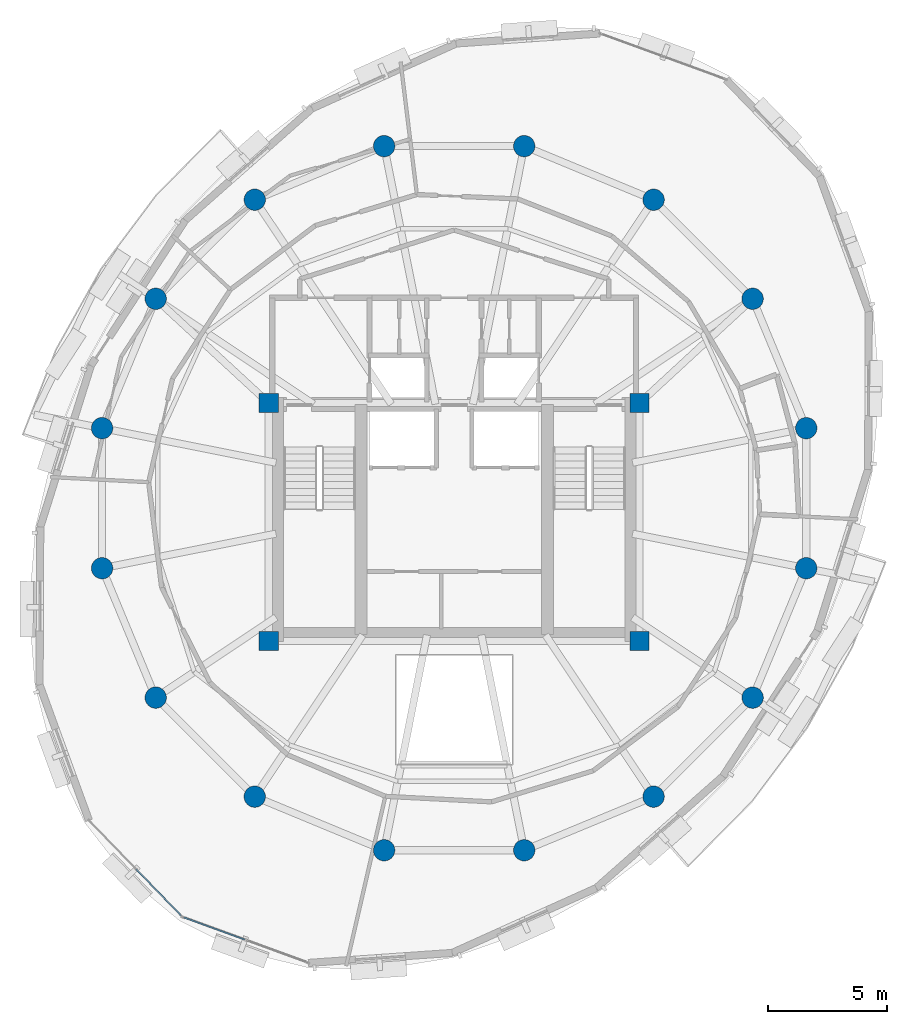
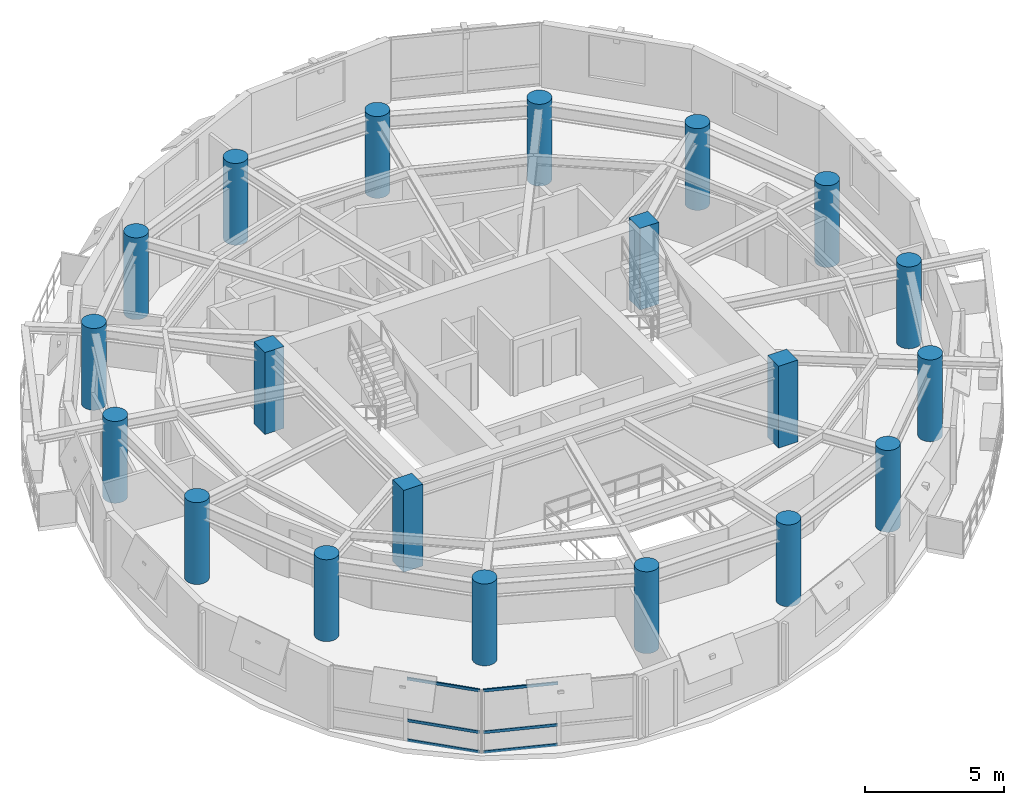
# One storey, part 1 of 11: 20 columns, 6 members, 2 elements without a shape of their own.
"""IFC4 building model written with IfcOpenShell, lengths in metres."""

import ifcopenshell
import ifcopenshell.guid

model = None  # the IFC model being written
_history = None  # IfcOwnerHistory: only IFC2X3 demands one
_inside = {}  # id of a spatial element -> (the spatial element, [elements in it])
_under = {}  # id of a project, library or spatial element -> (it, [spatial elements below it])
_declared = {}  # id of a project -> (the project, [libraries it declares])
_typed = {}  # id of a type object -> (the type object, [elements of that type])
_made_of = {}  # id of a material, layer set ... -> (it, [elements and type objects made of it])


def new_model(schema):
    """Start an empty IFC model of exactly this schema.

    Asked for "IFC4X3", IfcOpenShell would pick the latest addendum, in which some entities
    have other attributes; the version numbers below select the first issue.
    IFC2X3 requires an IfcOwnerHistory on every rooted entity: one is made here for all.
    """
    global model, _history
    if schema == "IFC4X3":
        model = ifcopenshell.file(schema_version=(4, 3, 0, 0))
    else:
        model = ifcopenshell.file(schema=schema)
    _inside.clear()
    _under.clear()
    _declared.clear()
    _typed.clear()
    _made_of.clear()
    _history = None
    if model.schema == "IFC2X3":
        org = make("IfcOrganization", Name="unknown")
        user = make(
            "IfcPersonAndOrganization",
            ThePerson=make("IfcPerson", FamilyName="unknown"),
            TheOrganization=org,
        )
        app = make(
            "IfcApplication",
            ApplicationDeveloper=org,
            Version="unknown",
            ApplicationFullName="unknown",
            ApplicationIdentifier="unknown",
        )
        _history = make(
            "IfcOwnerHistory",
            OwningUser=user,
            OwningApplication=app,
            ChangeAction="ADDED",
            CreationDate=0,
        )
    return model


def make(cls, **values):
    """One entity of the class cls with the attributes given. An attribute that is None is left unset."""
    return model.create_entity(
        cls, **{name: value for name, value in values.items() if value is not None}
    )


def rooted(cls, **values):
    """An entity with a GlobalId (a new one), such as an element, a storey or a relation."""
    return make(cls, GlobalId=ifcopenshell.guid.new(), OwnerHistory=_history, **values)


def si_unit(unit_type, name, prefix=None):
    """IfcSIUnit, for example si_unit("LENGTHUNIT", "METRE", prefix="MILLI")."""
    return make("IfcSIUnit", UnitType=unit_type, Prefix=prefix, Name=name)


def assignment(units):
    """IfcUnitAssignment: the units of a project."""
    return None if units is None else make("IfcUnitAssignment", Units=units)


def point(xyz):
    """IfcCartesianPoint."""
    return None if xyz is None else make("IfcCartesianPoint", Coordinates=xyz)


def direction(xyz):
    """IfcDirection."""
    return None if xyz is None else make("IfcDirection", DirectionRatios=xyz)


def frame(location, z_axis=None, x_axis=None):
    """IfcAxis2Placement3D, a coordinate frame: its origin and axes. An axis left out is left unset."""
    return make(
        "IfcAxis2Placement3D",
        Location=point(location),
        Axis=direction(z_axis),
        RefDirection=direction(x_axis),
    )


def frame_2d(location, x_axis=None):
    """IfcAxis2Placement2D, a coordinate frame in the plane: its origin and x axis."""
    return make(
        "IfcAxis2Placement2D", Location=point(location), RefDirection=direction(x_axis)
    )


def origin():
    """The frame at (0, 0, 0) with its axes left unset."""
    return frame((0.0, 0.0, 0.0))


def origin_2d():
    """The frame at (0, 0) in the plane with its x axis left unset."""
    return frame_2d((0.0, 0.0))


def place(relative_to, where):
    """IfcLocalPlacement: puts the frame where relative to a parent placement (None: the world)."""
    return make(
        "IfcLocalPlacement", PlacementRelTo=relative_to, RelativePlacement=where
    )


def context(
    kind, dimensions, precision=None, world=None, true_north=None, identifier=None
):
    """IfcGeometricRepresentationContext, for example the 3D "Model" context."""
    return make(
        "IfcGeometricRepresentationContext",
        ContextIdentifier=identifier,
        ContextType=kind,
        CoordinateSpaceDimension=dimensions,
        Precision=precision,
        WorldCoordinateSystem=world,
        TrueNorth=true_north,
    )


def subcontext(parent, identifier, kind, view, scale=None):
    """IfcGeometricRepresentationSubContext, for example "Body" below "Model"."""
    return make(
        "IfcGeometricRepresentationSubContext",
        ContextIdentifier=identifier,
        ContextType=kind,
        ParentContext=parent,
        TargetScale=scale,
        TargetView=view,
    )


def project(units=None, contexts=None):
    """IfcProject with its units and contexts."""
    return rooted(
        "IfcProject",
        Name="project",
        RepresentationContexts=contexts,
        UnitsInContext=assignment(units),
    )


def spatial(cls, under=None, at=None, **own):
    """A site, building, storey or space (cls), placed at a placement, below another one or the project."""
    s = rooted(cls, ObjectPlacement=at, **own)
    if under is not None:
        _under.setdefault(under.id(), (under, []))[1].append(s)
    return s


def profile(cls, at=None, kind="AREA", **sizes):
    """A parametric profile (cls). Its sizes go by their IFC names, for example OverallWidth=200.0."""
    return make(cls, ProfileType=kind, Position=at, **sizes)


def rectangle(**sizes):
    """IfcRectangleProfileDef."""
    return profile("IfcRectangleProfileDef", **sizes)


def hollow_rectangle(**sizes):
    """IfcRectangleHollowProfileDef."""
    return profile("IfcRectangleHollowProfileDef", **sizes)


def circle(**sizes):
    """IfcCircleProfileDef."""
    return profile("IfcCircleProfileDef", **sizes)


def extrude(swept, where, along, depth):
    """IfcExtrudedAreaSolid: the profile swept, set in the frame where, extruded along a direction by depth."""
    return make(
        "IfcExtrudedAreaSolid",
        SweptArea=swept,
        Position=where,
        ExtrudedDirection=direction(along),
        Depth=depth,
    )


def shape(context_of_items, identifier, shape_type, items):
    """IfcShapeRepresentation: the items that make up one representation, for example the "Body"."""
    return make(
        "IfcShapeRepresentation",
        ContextOfItems=context_of_items,
        RepresentationIdentifier=identifier,
        RepresentationType=shape_type,
        Items=items,
    )


def material(Name=None, Category=None):
    """IfcMaterial."""
    return make("IfcMaterial", Name=Name, Category=Category)


def layer(
    of_material, thickness, ventilated=None, Name=None, Category=None, Priority=None
):
    """IfcMaterialLayer: one layer of a wall or slab, of a material (None: an air gap)."""
    return make(
        "IfcMaterialLayer",
        Material=of_material,
        LayerThickness=thickness,
        IsVentilated=ventilated,
        Name=Name,
        Category=Category,
        Priority=Priority,
    )


def layer_set(layers, Name=None):
    """IfcMaterialLayerSet."""
    return make("IfcMaterialLayerSet", MaterialLayers=layers, LayerSetName=Name)


def material_profile(
    of_material, cross_section, Name=None, Category=None, Priority=None
):
    """IfcMaterialProfile: a cross section and its material."""
    return make(
        "IfcMaterialProfile",
        Name=Name,
        Material=of_material,
        Profile=cross_section,
        Priority=Priority,
        Category=Category,
    )


def profile_set(profiles, Name=None, composite=None):
    """IfcMaterialProfileSet."""
    return make(
        "IfcMaterialProfileSet",
        Name=Name,
        MaterialProfiles=profiles,
        CompositeProfile=composite,
    )


def made_of(thing, what):
    """Note that an element or type object is made of a material, layer set ...; save() writes the relation."""
    if what is not None:
        _made_of.setdefault(what.id(), (what, []))[1].append(thing)
    return thing


def type_object(cls, material=None, **own):
    """A type object (cls), such as IfcWallType, which elements share."""
    return made_of(rooted(cls, **own), material)


def element(
    cls,
    number,
    at=None,
    inside=None,
    cuts=None,
    type_object=None,
    material=None,
    context=None,
    identifier="Body",
    shape_type=None,
    held_by="IfcProductDefinitionShape",
    body=None,
    shapes=None,
    **own,
):
    """One element of the class cls, such as IfcWall. Its Tag is "e" and its number.

    at: its placement. inside: the storey or other place that contains it. cuts: it is an
    opening in that element (IfcRelVoidsElement). A single representation is given by context,
    identifier, shape_type and body (its items); several are given by shapes. held_by: the class
    of the entity that holds the representations. save() writes the other relations.
    """
    e = rooted(cls, Tag="e%d" % number, ObjectPlacement=at, **own)
    if body is not None:
        shapes = [shape(context, identifier, shape_type, body)]
    if shapes is not None:
        e.Representation = make(held_by, Representations=shapes)
    if inside is not None:
        _inside.setdefault(inside.id(), (inside, []))[1].append(e)
    if cuts is not None:
        rooted(
            "IfcRelVoidsElement", RelatingBuildingElement=cuts, RelatedOpeningElement=e
        )
    if type_object is not None:
        _typed.setdefault(type_object.id(), (type_object, []))[1].append(e)
    return made_of(e, material)


def aggregate(whole, parts):
    """IfcRelAggregates: a whole, such as a stair, and the parts it consists of."""
    return rooted("IfcRelAggregates", RelatingObject=whole, RelatedObjects=parts)


def save(model, path):
    """Write the relations noted so far, then the file.

    IfcRelAggregates (storeys below a building ...), IfcRelContainedInSpatialStructure (elements
    in a storey), IfcRelDefinesByType, IfcRelAssociatesMaterial and IfcRelDeclares: one each for
    every whole, place, type object, material and project.
    """
    for whole, parts in _under.values():
        aggregate(whole, parts)
    for where, things in _inside.values():
        rooted(
            "IfcRelContainedInSpatialStructure",
            RelatedElements=things,
            RelatingStructure=where,
        )
    for kind, things in _typed.values():
        rooted("IfcRelDefinesByType", RelatedObjects=things, RelatingType=kind)
    for what, things in _made_of.values():
        rooted("IfcRelAssociatesMaterial", RelatedObjects=things, RelatingMaterial=what)
    for by, libraries in _declared.values():
        rooted("IfcRelDeclares", RelatingContext=by, RelatedDefinitions=libraries)
    model.write(path)


model = new_model("IFC4")

# Units and contexts
model_context = context("Model", 3, precision=1e-05, world=origin(), true_north=direction((0.0, 1.0)))
body_context = subcontext(model_context, "Body", "Model", "MODEL_VIEW")
ifc_project = project(units=[si_unit("LENGTHUNIT", "METRE"), si_unit("AREAUNIT", "SQUARE_METRE"), si_unit("VOLUMEUNIT", "CUBIC_METRE"), si_unit("PLANEANGLEUNIT", "RADIAN"), si_unit("MASSUNIT", "GRAM", prefix="KILO"), si_unit("THERMODYNAMICTEMPERATUREUNIT", "KELVIN"), si_unit("POWERUNIT", "WATT")], contexts=[model_context])

# Site, building, storey
site_placement = place(None, origin())
site = spatial("IfcSite", under=ifc_project, at=site_placement, CompositionType="ELEMENT")
building_placement = place(site_placement, origin())
building = spatial("IfcBuilding", under=site, at=building_placement, Name="Ocrelia Relay Tower", CompositionType="ELEMENT")
storey_placement = place(building_placement, frame((0.0, 0.0, 266.39990234375)))
storey = spatial("IfcBuildingStorey", under=building, at=storey_placement, Name="L66", CompositionType="ELEMENT", Elevation=266.39990234375)

# Columns
ifc_material_1 = material(Name="Concrete C50/60", Category="concrete")
ifc_material_profile_1 = material_profile(ifc_material_1, circle(Radius=0.449951171875, at=origin_2d()), Name="RC-CIR-900")
ifc_profile_set_1 = profile_set([ifc_material_profile_1], Name="Concrete C50/60")
column_type_1 = type_object("IfcColumnType", Name="COL-CT-900", PredefinedType="COLUMN", material=ifc_profile_set_1)
for number, where, z_axis, x_axis, name in (
    (1, (48.809814453125, 28.94580078125, 0.0), (0.0, 0.0, 1.0), (1.0, 0.0, 0.0), "L66 Perimeter Ring Column C01"),
    (2, (46.55517578125, 34.38916015625, 0.0), (0.0, 0.0, 1.0), (1.0, 0.0, 0.0), "L66 Perimeter Ring Column C02"),
    (3, (42.38916015625, 38.55517578125, 0.0), (0.0, 0.0, 1.0), (1.0, 0.0, 0.0), "L66 Perimeter Ring Column C03"),
    (4, (36.94580078125, 40.809814453125, 0.0), (0.0, 0.0, 1.0), (1.0, 0.0, 0.0), "L66 Perimeter Ring Column C04"),
    (5, (31.05419921875, 40.809814453125, 0.0), (0.0, 0.0, 1.0), (1.0, 0.0, 0.0), "L66 Perimeter Ring Column C05"),
    (6, (25.61083984375, 38.55517578125, 0.0), (0.0, 0.0, 1.0), (1.0, 0.0, 0.0), "L66 Perimeter Ring Column C06"),
    (7, (21.44482421875, 34.38916015625, 0.0), (0.0, 0.0, 1.0), (1.0, 0.0, 0.0), "L66 Perimeter Ring Column C07"),
    (8, (19.190185546875, 28.94580078125, 0.0), (0.0, 0.0, 1.0), (1.0, 0.0, 0.0), "L66 Perimeter Ring Column C08"),
    (9, (19.190185546875, 23.05419921875, 0.0), (0.0, 0.0, 1.0), (1.0, 0.0, 0.0), "L66 Perimeter Ring Column C09"),
    (10, (21.44482421875, 17.61083984375, 0.0), (0.0, 0.0, 1.0), (1.0, 0.0, 0.0), "L66 Perimeter Ring Column C10"),
    (11, (25.61083984375, 13.44482421875, 0.0), (0.0, 0.0, 1.0), (1.0, 0.0, 0.0), "L66 Perimeter Ring Column C11"),
    (12, (31.05419921875, 11.190185546875, 0.0), (0.0, 0.0, 1.0), (1.0, 0.0, 0.0), "L66 Perimeter Ring Column C12"),
    (13, (36.94580078125, 11.190185546875, 0.0), (0.0, 0.0, 1.0), (1.0, 0.0, 0.0), "L66 Perimeter Ring Column C13"),
    (14, (42.38916015625, 13.44482421875, 0.0), (0.0, 0.0, 1.0), (1.0, 0.0, 0.0), "L66 Perimeter Ring Column C14"),
    (15, (46.55517578125, 17.61083984375, 0.0), (0.0, 0.0, 1.0), (1.0, 0.0, 0.0), "L66 Perimeter Ring Column C15"),
    (16, (48.809814453125, 23.05419921875, 0.0), (0.0, 0.0, 1.0), (1.0, 0.0, 0.0), "L66 Perimeter Ring Column C16"),
):
    element("IfcColumn", number, at=place(storey_placement, frame(where, z_axis=z_axis, x_axis=x_axis)), inside=storey, type_object=column_type_1, Name=name, PredefinedType="COLUMN", context=body_context, shape_type="SweptSolid", body=[
        extrude(circle(Radius=0.449951171875, at=origin_2d()), origin(), (0.0, 0.0, 1.0), 3.60009765625),
    ])
ifc_material_2 = material(Name="Concrete C60/75", Category="concrete")
ifc_material_profile_2 = material_profile(ifc_material_2, rectangle(XDim=0.800048828125, YDim=0.800048828125, at=origin_2d()), Name="RC-COL-800x800")
ifc_profile_set_2 = profile_set([ifc_material_profile_2], Name="Concrete C60/75")
column_type_2 = type_object("IfcColumnType", Name="COL-PILASTER-800", PredefinedType="PILASTER", material=ifc_profile_set_2)
for number, where, z_axis, x_axis, name in (
    (17, (26.199951171875, 20.0, 0.0), (0.0, 0.0, 1.0), (1.0, 0.0, 0.0), "L66 Core Corner Pilaster SW"),
    (18, (41.800048828125, 20.0, 0.0), (0.0, 0.0, 1.0), (1.0, 0.0, 0.0), "L66 Core Corner Pilaster SE"),
    (19, (26.199951171875, 30.0, 0.0), (0.0, 0.0, 1.0), (1.0, 0.0, 0.0), "L66 Core Corner Pilaster NW"),
    (20, (41.800048828125, 30.0, 0.0), (0.0, 0.0, 1.0), (1.0, 0.0, 0.0), "L66 Core Corner Pilaster NE"),
):
    element("IfcColumn", number, at=place(storey_placement, frame(where, z_axis=z_axis, x_axis=x_axis)), inside=storey, type_object=column_type_2, Name=name, PredefinedType="PILASTER", context=body_context, shape_type="SweptSolid", body=[
        extrude(rectangle(XDim=0.800048828125, YDim=0.800048828125, at=origin_2d()), origin(), (0.0, 0.0, 1.0), 3.60009765625),
    ])

# Curtain wall, members
ifc_material_3 = material(Name="Aluminium and solar-control low-E glass", Category="aluminium")
ifc_layer = layer(ifc_material_3, 0.179931640625, Name="Aluminium and solar-control low-E glass")
ifc_layer_set = layer_set([ifc_layer], Name="Aluminium and solar-control low-E glass")
curtain_wall_type = type_object("IfcCurtainWallType", Name="CW-SYS-Z4-EXEC", PredefinedType="NOTDEFINED", material=ifc_layer_set)
curtain_wall_1_placement = place(storey_placement, origin())
curtain_wall_1 = element("IfcCurtainWall", 21, at=curtain_wall_1_placement, inside=storey, type_object=curtain_wall_type, Name="L66 Elliptical Tower Curtain Wall Bay 09", PredefinedType="NOTDEFINED")
ifc_material_4 = material(Name="Anodised bronze aluminium", Category="aluminium")
ifc_material_profile_3 = material_profile(ifc_material_4, hollow_rectangle(XDim=0.06005859375, YDim=0.1201171875, WallThickness=0.0048828125, at=origin_2d()), Name="CW-TRN-120x60")
ifc_profile_set_3 = profile_set([ifc_material_profile_3], Name="Anodised bronze aluminium")
member_type = type_object("IfcMemberType", Name="CW-SYS-Z4-EXEC-TRN", PredefinedType="USERDEFINED", material=ifc_profile_set_3)
member_1_placement = place(storey_placement, frame((20.62109375, 10.39501953125, 0.030029296875), z_axis=(0.695238004318, -0.718779602765, 0.0), x_axis=(0.718779602765, 0.695238004318, 0.0)))
member_1 = element("IfcMember", 22, at=member_1_placement, type_object=member_type, Name="CW-Z4 transom 2.1", ObjectType="TRANSOM", PredefinedType="USERDEFINED", context=body_context, shape_type="SweptSolid", body=[
    extrude(hollow_rectangle(XDim=0.06005859375, YDim=0.1201171875, WallThickness=0.0048828125, at=origin_2d()), origin(), (0.0, 0.0, 1.0), 2.7275390625),
])
member_2_placement = place(storey_placement, frame((20.62109375, 10.39501953125, 0.900146484375), z_axis=(0.695238004318, -0.718779602765, 0.0), x_axis=(0.718779602765, 0.695238004318, 0.0)))
member_2 = element("IfcMember", 23, at=member_2_placement, type_object=member_type, Name="CW-Z4 transom 2.2", ObjectType="TRANSOM", PredefinedType="USERDEFINED", context=body_context, shape_type="SweptSolid", body=[
    extrude(hollow_rectangle(XDim=0.06005859375, YDim=0.1201171875, WallThickness=0.0048828125, at=origin_2d()), origin(), (0.0, 0.0, 1.0), 2.7275390625),
])
member_3_placement = place(storey_placement, frame((20.62109375, 10.39501953125, 2.72998046875), z_axis=(0.695238004318, -0.718779602765, 0.0), x_axis=(0.718779602765, 0.695238004318, 0.0)))
member_3 = element("IfcMember", 24, at=member_3_placement, type_object=member_type, Name="CW-Z4 transom 2.3", ObjectType="TRANSOM", PredefinedType="USERDEFINED", context=body_context, shape_type="SweptSolid", body=[
    extrude(hollow_rectangle(XDim=0.06005859375, YDim=0.1201171875, WallThickness=0.0048828125, at=origin_2d()), origin(), (0.0, 0.0, 1.0), 2.7275390625),
])
aggregate(curtain_wall_1, [member_1, member_2, member_3])

curtain_wall_2_placement = place(storey_placement, origin())
curtain_wall_2 = element("IfcCurtainWall", 25, at=curtain_wall_2_placement, inside=storey, type_object=curtain_wall_type, Name="L66 Elliptical Tower Curtain Wall Bay 10", PredefinedType="NOTDEFINED")
member_4_placement = place(storey_placement, frame((22.623779296875, 8.36572265625, 0.030029296875), z_axis=(0.939400793365, -0.342820870756, 0.0), x_axis=(0.342820870756, 0.939400793365, 0.0)))
member_4 = element("IfcMember", 26, at=member_4_placement, type_object=member_type, Name="CW-Z4 transom 1.1", ObjectType="TRANSOM", PredefinedType="USERDEFINED", context=body_context, shape_type="SweptSolid", body=[
    extrude(hollow_rectangle(XDim=0.06005859375, YDim=0.1201171875, WallThickness=0.0048828125, at=origin_2d()), origin(), (0.0, 0.0, 1.0), 2.7275390625),
])
member_5_placement = place(storey_placement, frame((22.623779296875, 8.36572265625, 0.900146484375), z_axis=(0.939400793365, -0.342820870756, 0.0), x_axis=(0.342820870756, 0.939400793365, 0.0)))
member_5 = element("IfcMember", 27, at=member_5_placement, type_object=member_type, Name="CW-Z4 transom 1.2", ObjectType="TRANSOM", PredefinedType="USERDEFINED", context=body_context, shape_type="SweptSolid", body=[
    extrude(hollow_rectangle(XDim=0.06005859375, YDim=0.1201171875, WallThickness=0.0048828125, at=origin_2d()), origin(), (0.0, 0.0, 1.0), 2.7275390625),
])
member_6_placement = place(storey_placement, frame((22.623779296875, 8.36572265625, 2.72998046875), z_axis=(0.939400793365, -0.342820870756, 0.0), x_axis=(0.342820870756, 0.939400793365, 0.0)))
member_6 = element("IfcMember", 28, at=member_6_placement, type_object=member_type, Name="CW-Z4 transom 1.3", ObjectType="TRANSOM", PredefinedType="USERDEFINED", context=body_context, shape_type="SweptSolid", body=[
    extrude(hollow_rectangle(XDim=0.06005859375, YDim=0.1201171875, WallThickness=0.0048828125, at=origin_2d()), origin(), (0.0, 0.0, 1.0), 2.7275390625),
])
aggregate(curtain_wall_2, [member_4, member_5, member_6])

save(model, "model.ifc")
